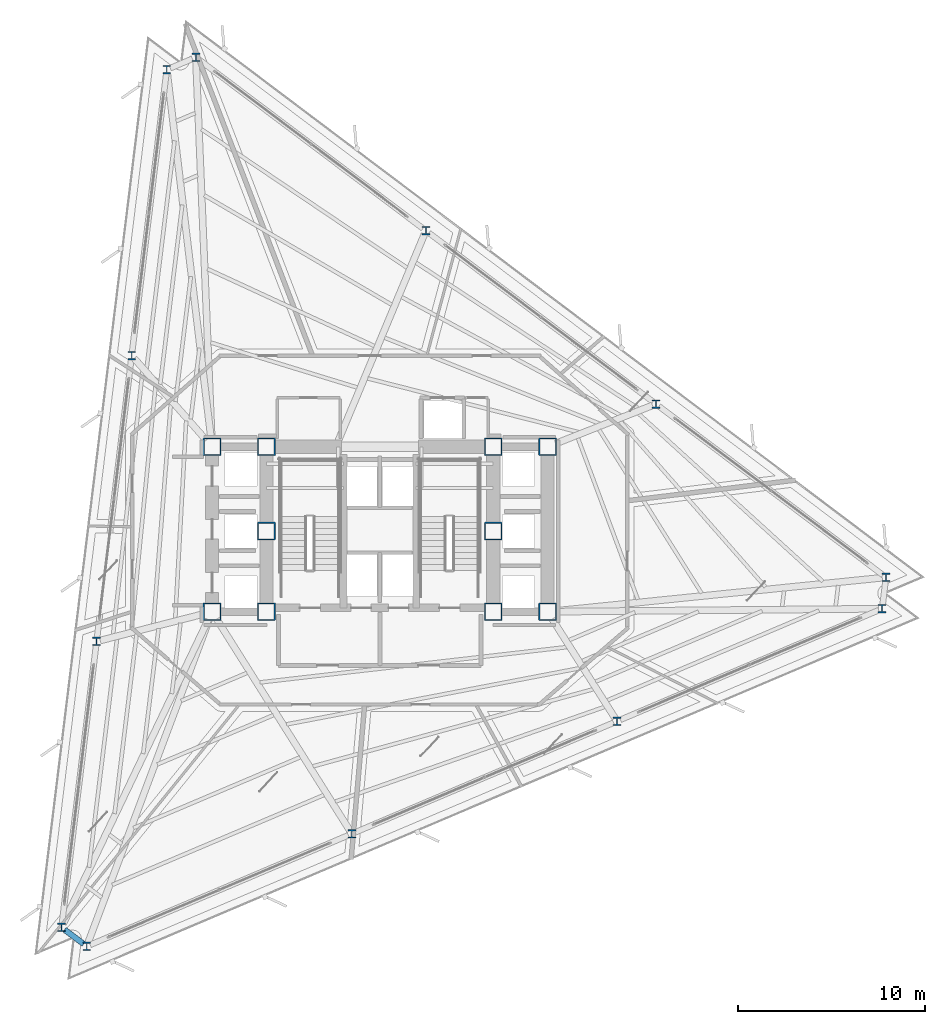
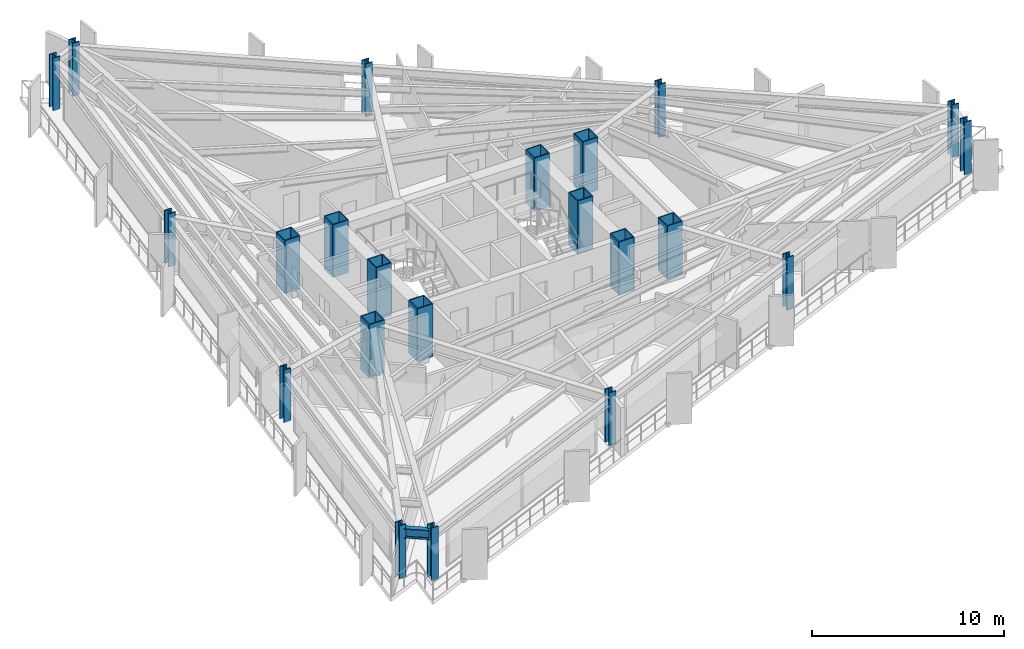
# One storey, part 1 of 13: 22 columns, 1 beam.
"""IFC4 building model written with IfcOpenShell, lengths in metres."""

import ifcopenshell
import ifcopenshell.guid

model = None  # the IFC model being written
_history = None  # IfcOwnerHistory: only IFC2X3 demands one
_inside = {}  # id of a spatial element -> (the spatial element, [elements in it])
_under = {}  # id of a project, library or spatial element -> (it, [spatial elements below it])
_declared = {}  # id of a project -> (the project, [libraries it declares])
_typed = {}  # id of a type object -> (the type object, [elements of that type])
_made_of = {}  # id of a material, layer set ... -> (it, [elements and type objects made of it])


def new_model(schema):
    """Start an empty IFC model of exactly this schema.

    Asked for "IFC4X3", IfcOpenShell would pick the latest addendum, in which some entities
    have other attributes; the version numbers below select the first issue.
    IFC2X3 requires an IfcOwnerHistory on every rooted entity: one is made here for all.
    """
    global model, _history
    if schema == "IFC4X3":
        model = ifcopenshell.file(schema_version=(4, 3, 0, 0))
    else:
        model = ifcopenshell.file(schema=schema)
    _inside.clear()
    _under.clear()
    _declared.clear()
    _typed.clear()
    _made_of.clear()
    _history = None
    if model.schema == "IFC2X3":
        org = make("IfcOrganization", Name="unknown")
        user = make(
            "IfcPersonAndOrganization",
            ThePerson=make("IfcPerson", FamilyName="unknown"),
            TheOrganization=org,
        )
        app = make(
            "IfcApplication",
            ApplicationDeveloper=org,
            Version="unknown",
            ApplicationFullName="unknown",
            ApplicationIdentifier="unknown",
        )
        _history = make(
            "IfcOwnerHistory",
            OwningUser=user,
            OwningApplication=app,
            ChangeAction="ADDED",
            CreationDate=0,
        )
    return model


def make(cls, **values):
    """One entity of the class cls with the attributes given. An attribute that is None is left unset."""
    return model.create_entity(
        cls, **{name: value for name, value in values.items() if value is not None}
    )


def rooted(cls, **values):
    """An entity with a GlobalId (a new one), such as an element, a storey or a relation."""
    return make(cls, GlobalId=ifcopenshell.guid.new(), OwnerHistory=_history, **values)


def si_unit(unit_type, name, prefix=None):
    """IfcSIUnit, for example si_unit("LENGTHUNIT", "METRE", prefix="MILLI")."""
    return make("IfcSIUnit", UnitType=unit_type, Prefix=prefix, Name=name)


def assignment(units):
    """IfcUnitAssignment: the units of a project."""
    return None if units is None else make("IfcUnitAssignment", Units=units)


def point(xyz):
    """IfcCartesianPoint."""
    return None if xyz is None else make("IfcCartesianPoint", Coordinates=xyz)


def direction(xyz):
    """IfcDirection."""
    return None if xyz is None else make("IfcDirection", DirectionRatios=xyz)


def frame(location, z_axis=None, x_axis=None):
    """IfcAxis2Placement3D, a coordinate frame: its origin and axes. An axis left out is left unset."""
    return make(
        "IfcAxis2Placement3D",
        Location=point(location),
        Axis=direction(z_axis),
        RefDirection=direction(x_axis),
    )


def frame_2d(location, x_axis=None):
    """IfcAxis2Placement2D, a coordinate frame in the plane: its origin and x axis."""
    return make(
        "IfcAxis2Placement2D", Location=point(location), RefDirection=direction(x_axis)
    )


def origin():
    """The frame at (0, 0, 0) with its axes left unset."""
    return frame((0.0, 0.0, 0.0))


def origin_2d():
    """The frame at (0, 0) in the plane with its x axis left unset."""
    return frame_2d((0.0, 0.0))


def place(relative_to, where):
    """IfcLocalPlacement: puts the frame where relative to a parent placement (None: the world)."""
    return make(
        "IfcLocalPlacement", PlacementRelTo=relative_to, RelativePlacement=where
    )


def context(
    kind, dimensions, precision=None, world=None, true_north=None, identifier=None
):
    """IfcGeometricRepresentationContext, for example the 3D "Model" context."""
    return make(
        "IfcGeometricRepresentationContext",
        ContextIdentifier=identifier,
        ContextType=kind,
        CoordinateSpaceDimension=dimensions,
        Precision=precision,
        WorldCoordinateSystem=world,
        TrueNorth=true_north,
    )


def subcontext(parent, identifier, kind, view, scale=None):
    """IfcGeometricRepresentationSubContext, for example "Body" below "Model"."""
    return make(
        "IfcGeometricRepresentationSubContext",
        ContextIdentifier=identifier,
        ContextType=kind,
        ParentContext=parent,
        TargetScale=scale,
        TargetView=view,
    )


def project(units=None, contexts=None):
    """IfcProject with its units and contexts."""
    return rooted(
        "IfcProject",
        Name="project",
        RepresentationContexts=contexts,
        UnitsInContext=assignment(units),
    )


def spatial(cls, under=None, at=None, **own):
    """A site, building, storey or space (cls), placed at a placement, below another one or the project."""
    s = rooted(cls, ObjectPlacement=at, **own)
    if under is not None:
        _under.setdefault(under.id(), (under, []))[1].append(s)
    return s


def profile(cls, at=None, kind="AREA", **sizes):
    """A parametric profile (cls). Its sizes go by their IFC names, for example OverallWidth=200.0."""
    return make(cls, ProfileType=kind, Position=at, **sizes)


def hollow_rectangle(**sizes):
    """IfcRectangleHollowProfileDef."""
    return profile("IfcRectangleHollowProfileDef", **sizes)


def i_section(**sizes):
    """IfcIShapeProfileDef."""
    return profile("IfcIShapeProfileDef", **sizes)


def extrude(swept, where, along, depth):
    """IfcExtrudedAreaSolid: the profile swept, set in the frame where, extruded along a direction by depth."""
    return make(
        "IfcExtrudedAreaSolid",
        SweptArea=swept,
        Position=where,
        ExtrudedDirection=direction(along),
        Depth=depth,
    )


def shape(context_of_items, identifier, shape_type, items):
    """IfcShapeRepresentation: the items that make up one representation, for example the "Body"."""
    return make(
        "IfcShapeRepresentation",
        ContextOfItems=context_of_items,
        RepresentationIdentifier=identifier,
        RepresentationType=shape_type,
        Items=items,
    )


def material(Name=None, Category=None):
    """IfcMaterial."""
    return make("IfcMaterial", Name=Name, Category=Category)


def material_profile(
    of_material, cross_section, Name=None, Category=None, Priority=None
):
    """IfcMaterialProfile: a cross section and its material."""
    return make(
        "IfcMaterialProfile",
        Name=Name,
        Material=of_material,
        Profile=cross_section,
        Priority=Priority,
        Category=Category,
    )


def profile_set(profiles, Name=None, composite=None):
    """IfcMaterialProfileSet."""
    return make(
        "IfcMaterialProfileSet",
        Name=Name,
        MaterialProfiles=profiles,
        CompositeProfile=composite,
    )


def made_of(thing, what):
    """Note that an element or type object is made of a material, layer set ...; save() writes the relation."""
    if what is not None:
        _made_of.setdefault(what.id(), (what, []))[1].append(thing)
    return thing


def type_object(cls, material=None, **own):
    """A type object (cls), such as IfcWallType, which elements share."""
    return made_of(rooted(cls, **own), material)


def element(
    cls,
    number,
    at=None,
    inside=None,
    cuts=None,
    type_object=None,
    material=None,
    context=None,
    identifier="Body",
    shape_type=None,
    held_by="IfcProductDefinitionShape",
    body=None,
    shapes=None,
    **own,
):
    """One element of the class cls, such as IfcWall. Its Tag is "e" and its number.

    at: its placement. inside: the storey or other place that contains it. cuts: it is an
    opening in that element (IfcRelVoidsElement). A single representation is given by context,
    identifier, shape_type and body (its items); several are given by shapes. held_by: the class
    of the entity that holds the representations. save() writes the other relations.
    """
    e = rooted(cls, Tag="e%d" % number, ObjectPlacement=at, **own)
    if body is not None:
        shapes = [shape(context, identifier, shape_type, body)]
    if shapes is not None:
        e.Representation = make(held_by, Representations=shapes)
    if inside is not None:
        _inside.setdefault(inside.id(), (inside, []))[1].append(e)
    if cuts is not None:
        rooted(
            "IfcRelVoidsElement", RelatingBuildingElement=cuts, RelatedOpeningElement=e
        )
    if type_object is not None:
        _typed.setdefault(type_object.id(), (type_object, []))[1].append(e)
    return made_of(e, material)


def aggregate(whole, parts):
    """IfcRelAggregates: a whole, such as a stair, and the parts it consists of."""
    return rooted("IfcRelAggregates", RelatingObject=whole, RelatedObjects=parts)


def save(model, path):
    """Write the relations noted so far, then the file.

    IfcRelAggregates (storeys below a building ...), IfcRelContainedInSpatialStructure (elements
    in a storey), IfcRelDefinesByType, IfcRelAssociatesMaterial and IfcRelDeclares: one each for
    every whole, place, type object, material and project.
    """
    for whole, parts in _under.values():
        aggregate(whole, parts)
    for where, things in _inside.values():
        rooted(
            "IfcRelContainedInSpatialStructure",
            RelatedElements=things,
            RelatingStructure=where,
        )
    for kind, things in _typed.values():
        rooted("IfcRelDefinesByType", RelatedObjects=things, RelatingType=kind)
    for what, things in _made_of.values():
        rooted("IfcRelAssociatesMaterial", RelatedObjects=things, RelatingMaterial=what)
    for by, libraries in _declared.values():
        rooted("IfcRelDeclares", RelatingContext=by, RelatedDefinitions=libraries)
    model.write(path)


model = new_model("IFC4")

# Units and contexts
model_context = context("Model", 3, precision=1e-05, world=origin(), true_north=direction((0.0, 1.0)))
body_context = subcontext(model_context, "Body", "Model", "MODEL_VIEW")
ifc_project = project(units=[si_unit("LENGTHUNIT", "METRE"), si_unit("AREAUNIT", "SQUARE_METRE"), si_unit("VOLUMEUNIT", "CUBIC_METRE"), si_unit("PLANEANGLEUNIT", "RADIAN"), si_unit("MASSUNIT", "GRAM", prefix="KILO")], contexts=[model_context])

# Site, building, storey
site_placement = place(None, origin())
site = spatial("IfcSite", under=ifc_project, at=site_placement, CompositionType="ELEMENT")
building_placement = place(site_placement, origin())
building = spatial("IfcBuilding", under=site, at=building_placement, Name="Rocaltana Carrier Exchange", CompositionType="ELEMENT")
storey_placement = place(building_placement, frame((0.0, 0.0, 63.0400390625)))
storey = spatial("IfcBuildingStorey", under=building, at=storey_placement, Name="L19", CompositionType="ELEMENT", Elevation=63.0400390625)

# Columns
ifc_material_1 = material(Name="Steel S460", Category="steel")
ifc_material_profile_1 = material_profile(ifc_material_1, hollow_rectangle(XDim=0.949951171875, YDim=0.949951171875, WallThickness=0.06005859375, InnerFilletRadius=0.02001953125, OuterFilletRadius=0.0400390625, at=origin_2d()), Name="BOX950X950X60")
ifc_profile_set_1 = profile_set([ifc_material_profile_1], Name="Steel S460")
column_type_1 = type_object("IfcColumnType", Name="Core Mega-Column BOX950", PredefinedType="COLUMN", material=ifc_profile_set_1)
for number, where, z_axis, x_axis, name in (
    (1, (-6.050048828125, 4.5, 0.0), (0.0, 0.0, 1.0), (1.0, 0.0, 0.0), "L19 Core Mega-Column MC1"),
    (2, (6.050048828125, 4.5, 0.0), (0.0, 0.0, 1.0), (1.0, 0.0, 0.0), "L19 Core Mega-Column MC2"),
    (3, (-6.050048828125, 0.0, 0.0), (0.0, 0.0, 1.0), (1.0, 0.0, 0.0), "L19 Core Mega-Column MC3"),
    (4, (6.050048828125, 0.0, 0.0), (0.0, 0.0, 1.0), (1.0, 0.0, 0.0), "L19 Core Mega-Column MC4"),
    (5, (-6.050048828125, -4.300048828125, 0.0), (0.0, 0.0, 1.0), (1.0, 0.0, 0.0), "L19 Core Mega-Column MC5"),
    (6, (6.050048828125, -4.300048828125, 0.0), (0.0, 0.0, 1.0), (1.0, 0.0, 0.0), "L19 Core Mega-Column MC6"),
    (7, (-8.949951171875, 4.5, 0.0), (0.0, 0.0, 1.0), (1.0, 0.0, 0.0), "L19 West Core Column WC1"),
    (8, (-8.949951171875, -4.300048828125, 0.0), (0.0, 0.0, 1.0), (1.0, 0.0, 0.0), "L19 West Core Column WC2"),
    (9, (8.949951171875, 4.5, 0.0), (0.0, 0.0, 1.0), (1.0, 0.0, 0.0), "L19 East Core Column EC1"),
    (10, (8.949951171875, -4.300048828125, 0.0), (0.0, 0.0, 1.0), (1.0, 0.0, 0.0), "L19 East Core Column EC2"),
):
    element("IfcColumn", number, at=place(storey_placement, frame(where, z_axis=z_axis, x_axis=x_axis)), inside=storey, type_object=column_type_1, Name=name, PredefinedType="COLUMN", context=body_context, shape_type="SweptSolid", body=[
        extrude(hollow_rectangle(XDim=0.949951171875, YDim=0.949951171875, WallThickness=0.06005859375, InnerFilletRadius=0.02001953125, OuterFilletRadius=0.0400390625, at=origin_2d()), origin(), (0.0, 0.0, 1.0), 3.35986328125),
    ])
ifc_material_2 = material(Name="Steel S460", Category="steel")
ifc_material_profile_2 = material_profile(ifc_material_2, i_section(OverallWidth=0.41796875, OverallDepth=0.455078125, WebThickness=0.0419921875, FlangeThickness=0.067626953125, FilletRadius=0.02490234375, at=origin_2d()), Name="W14X370")
ifc_profile_set_2 = profile_set([ifc_material_profile_2], Name="Steel S460")
column_type_2 = type_object("IfcColumnType", Name="Perimeter Column W14X370", PredefinedType="COLUMN", material=ifc_profile_set_2)
for number, where, z_axis, x_axis, name in (
    (11, (27.0029296875, -2.466796875, 0.0), (0.0, 0.0, 1.0), (1.0, 0.0, 0.0), "L19 Perimeter Column TC01"),
    (12, (14.73046875, 6.781005859375, 0.0), (0.0, 0.0, 1.0), (1.0, 0.0, 0.0), "L19 Perimeter Column TC02"),
    (13, (2.458251953125, 16.029052734375, 0.0), (0.0, 0.0, 1.0), (1.0, 0.0, 0.0), "L19 Perimeter Column TC03"),
    (14, (-9.814208984375, 25.27685546875, 0.0), (0.0, 0.0, 1.0), (1.0, 0.0, 0.0), "L19 Perimeter Column TC04"),
    (15, (-11.365234375, 24.61865234375, 0.0), (0.0, 0.0, 1.0), (1.0, 0.0, 0.0), "L19 Perimeter Column TC05"),
    (16, (-13.23779296875, 9.366455078125, 0.0), (0.0, 0.0, 1.0), (1.0, 0.0, 0.0), "L19 Perimeter Column TC06"),
    (17, (-15.110595703125, -5.8857421875, 0.0), (0.0, 0.0, 1.0), (1.0, 0.0, 0.0), "L19 Perimeter Column TC07"),
    (18, (-16.9833984375, -21.1376953125, 0.0), (0.0, 0.0, 1.0), (1.0, 0.0, 0.0), "L19 Perimeter Column TC08"),
    (19, (-15.6376953125, -22.15185546875, 0.0), (0.0, 0.0, 1.0), (1.0, 0.0, 0.0), "L19 Perimeter Column TC09"),
    (20, (-1.49267578125, -16.147705078125, 0.0), (0.0, 0.0, 1.0), (1.0, 0.0, 0.0), "L19 Perimeter Column TC10"),
    (21, (12.652587890625, -10.143310546875, 0.0), (0.0, 0.0, 1.0), (1.0, 0.0, 0.0), "L19 Perimeter Column TC11"),
    (22, (26.797607421875, -4.13916015625, 0.0), (0.0, 0.0, 1.0), (1.0, 0.0, 0.0), "L19 Perimeter Column TC12"),
):
    element("IfcColumn", number, at=place(storey_placement, frame(where, z_axis=z_axis, x_axis=x_axis)), inside=storey, type_object=column_type_2, Name=name, PredefinedType="COLUMN", context=body_context, shape_type="SweptSolid", body=[
        extrude(i_section(OverallWidth=0.41796875, OverallDepth=0.455078125, WebThickness=0.0419921875, FlangeThickness=0.067626953125, FilletRadius=0.02490234375, at=origin_2d()), origin(), (0.0, 0.0, 1.0), 3.35986328125),
    ])

# Beam
ifc_material_3 = material(Name="Steel S355", Category="steel")
ifc_material_profile_3 = material_profile(ifc_material_3, i_section(OverallWidth=0.300048828125, OverallDepth=0.60009765625, WebThickness=0.015380859375, FlangeThickness=0.030029296875, FilletRadius=0.027099609375, at=origin_2d()), Name="HEB600")
ifc_profile_set_3 = profile_set([ifc_material_profile_3], Name="Steel S355")
beam_type = type_object("IfcBeamType", Name="Spandrel Edge Beam HEB600", PredefinedType="SPANDREL", material=ifc_profile_set_3)
beam_placement = place(storey_placement, frame((-16.822998046875, -21.2587890625, 2.7978515625), z_axis=(0.798765342934, -0.601642690414, 0.0), x_axis=(0.601642690414, 0.798765342934, 0.0)))
element("IfcBeam", 23, at=beam_placement, inside=storey, type_object=beam_type, Name="SP-L19-08", PredefinedType="SPANDREL", context=body_context, shape_type="SweptSolid", body=[
    extrude(i_section(OverallWidth=0.300048828125, OverallDepth=0.60009765625, WebThickness=0.015380859375, FlangeThickness=0.030029296875, FilletRadius=0.027099609375, at=origin_2d()), origin(), (0.0, 0.0, 1.0), 1.283203125),
])

save(model, "model.ifc")
